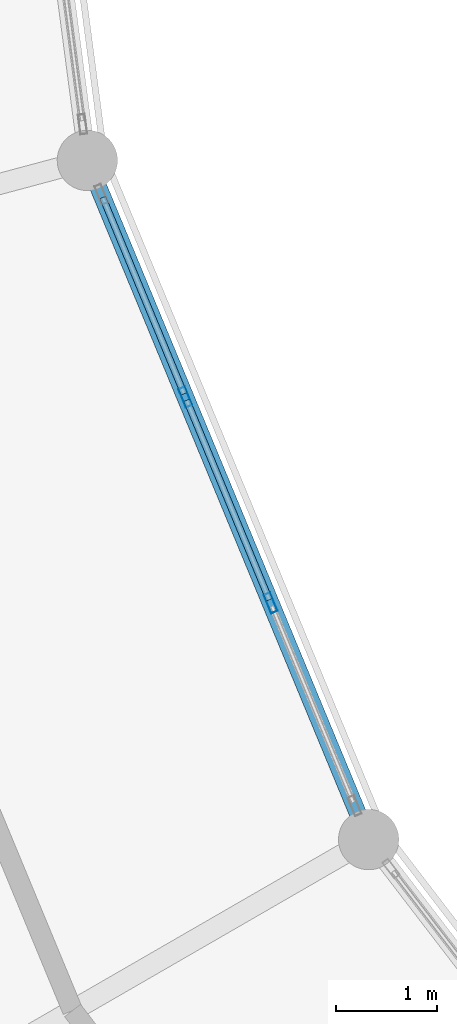
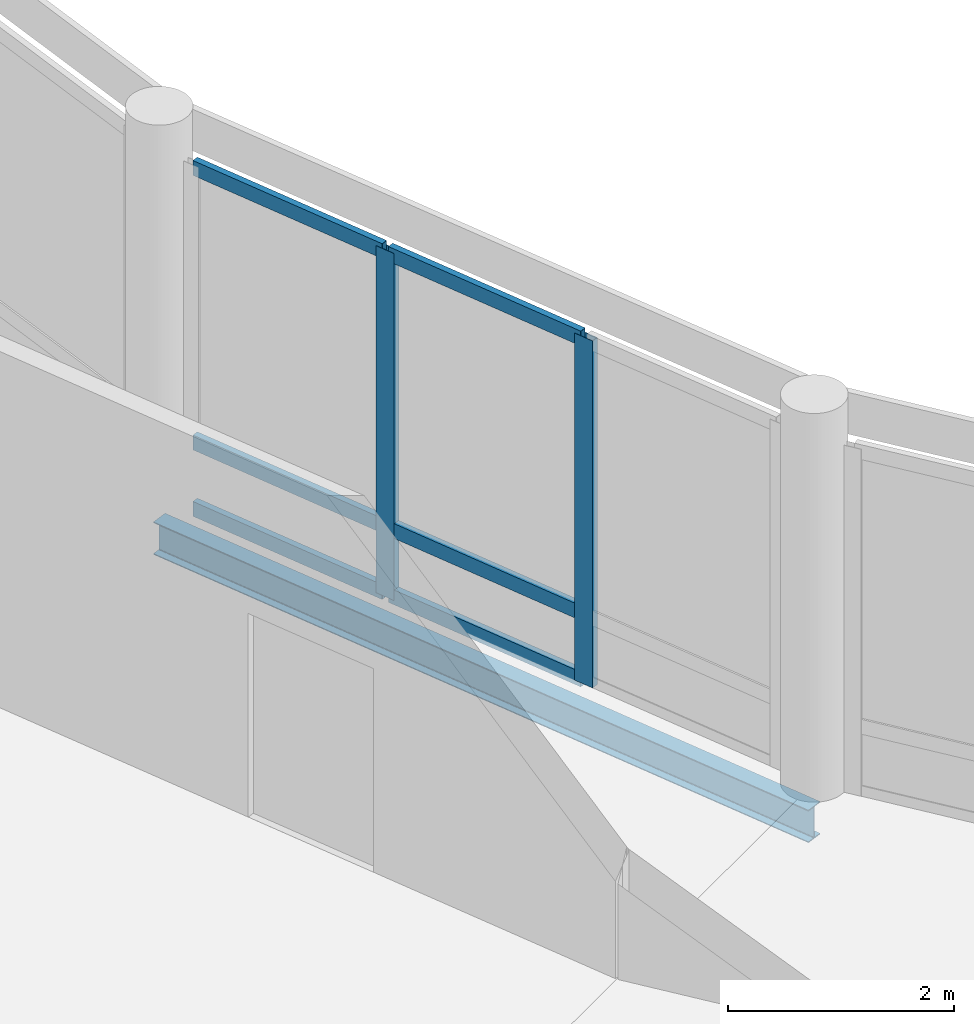
# One storey, part 40 of 200: 8 members, 1 beam, 1 element without a shape of its own.
"""IFC4 building model written with IfcOpenShell, lengths in metres."""

import ifcopenshell
import ifcopenshell.guid

model = None  # the IFC model being written
_history = None  # IfcOwnerHistory: only IFC2X3 demands one
_inside = {}  # id of a spatial element -> (the spatial element, [elements in it])
_under = {}  # id of a project, library or spatial element -> (it, [spatial elements below it])
_declared = {}  # id of a project -> (the project, [libraries it declares])
_typed = {}  # id of a type object -> (the type object, [elements of that type])
_made_of = {}  # id of a material, layer set ... -> (it, [elements and type objects made of it])


def new_model(schema):
    """Start an empty IFC model of exactly this schema.

    Asked for "IFC4X3", IfcOpenShell would pick the latest addendum, in which some entities
    have other attributes; the version numbers below select the first issue.
    IFC2X3 requires an IfcOwnerHistory on every rooted entity: one is made here for all.
    """
    global model, _history
    if schema == "IFC4X3":
        model = ifcopenshell.file(schema_version=(4, 3, 0, 0))
    else:
        model = ifcopenshell.file(schema=schema)
    _inside.clear()
    _under.clear()
    _declared.clear()
    _typed.clear()
    _made_of.clear()
    _history = None
    if model.schema == "IFC2X3":
        org = make("IfcOrganization", Name="unknown")
        user = make(
            "IfcPersonAndOrganization",
            ThePerson=make("IfcPerson", FamilyName="unknown"),
            TheOrganization=org,
        )
        app = make(
            "IfcApplication",
            ApplicationDeveloper=org,
            Version="unknown",
            ApplicationFullName="unknown",
            ApplicationIdentifier="unknown",
        )
        _history = make(
            "IfcOwnerHistory",
            OwningUser=user,
            OwningApplication=app,
            ChangeAction="ADDED",
            CreationDate=0,
        )
    return model


def make(cls, **values):
    """One entity of the class cls with the attributes given. An attribute that is None is left unset."""
    return model.create_entity(
        cls, **{name: value for name, value in values.items() if value is not None}
    )


def rooted(cls, **values):
    """An entity with a GlobalId (a new one), such as an element, a storey or a relation."""
    return make(cls, GlobalId=ifcopenshell.guid.new(), OwnerHistory=_history, **values)


def si_unit(unit_type, name, prefix=None):
    """IfcSIUnit, for example si_unit("LENGTHUNIT", "METRE", prefix="MILLI")."""
    return make("IfcSIUnit", UnitType=unit_type, Prefix=prefix, Name=name)


def assignment(units):
    """IfcUnitAssignment: the units of a project."""
    return None if units is None else make("IfcUnitAssignment", Units=units)


def point(xyz):
    """IfcCartesianPoint."""
    return None if xyz is None else make("IfcCartesianPoint", Coordinates=xyz)


def direction(xyz):
    """IfcDirection."""
    return None if xyz is None else make("IfcDirection", DirectionRatios=xyz)


def frame(location, z_axis=None, x_axis=None):
    """IfcAxis2Placement3D, a coordinate frame: its origin and axes. An axis left out is left unset."""
    return make(
        "IfcAxis2Placement3D",
        Location=point(location),
        Axis=direction(z_axis),
        RefDirection=direction(x_axis),
    )


def frame_2d(location, x_axis=None):
    """IfcAxis2Placement2D, a coordinate frame in the plane: its origin and x axis."""
    return make(
        "IfcAxis2Placement2D", Location=point(location), RefDirection=direction(x_axis)
    )


def origin():
    """The frame at (0, 0, 0) with its axes left unset."""
    return frame((0.0, 0.0, 0.0))


def origin_2d():
    """The frame at (0, 0) in the plane with its x axis left unset."""
    return frame_2d((0.0, 0.0))


def place(relative_to, where):
    """IfcLocalPlacement: puts the frame where relative to a parent placement (None: the world)."""
    return make(
        "IfcLocalPlacement", PlacementRelTo=relative_to, RelativePlacement=where
    )


def context(
    kind, dimensions, precision=None, world=None, true_north=None, identifier=None
):
    """IfcGeometricRepresentationContext, for example the 3D "Model" context."""
    return make(
        "IfcGeometricRepresentationContext",
        ContextIdentifier=identifier,
        ContextType=kind,
        CoordinateSpaceDimension=dimensions,
        Precision=precision,
        WorldCoordinateSystem=world,
        TrueNorth=true_north,
    )


def subcontext(parent, identifier, kind, view, scale=None):
    """IfcGeometricRepresentationSubContext, for example "Body" below "Model"."""
    return make(
        "IfcGeometricRepresentationSubContext",
        ContextIdentifier=identifier,
        ContextType=kind,
        ParentContext=parent,
        TargetScale=scale,
        TargetView=view,
    )


def project(units=None, contexts=None):
    """IfcProject with its units and contexts."""
    return rooted(
        "IfcProject",
        Name="project",
        RepresentationContexts=contexts,
        UnitsInContext=assignment(units),
    )


def spatial(cls, under=None, at=None, **own):
    """A site, building, storey or space (cls), placed at a placement, below another one or the project."""
    s = rooted(cls, ObjectPlacement=at, **own)
    if under is not None:
        _under.setdefault(under.id(), (under, []))[1].append(s)
    return s


def profile(cls, at=None, kind="AREA", **sizes):
    """A parametric profile (cls). Its sizes go by their IFC names, for example OverallWidth=200.0."""
    return make(cls, ProfileType=kind, Position=at, **sizes)


def hollow_rectangle(**sizes):
    """IfcRectangleHollowProfileDef."""
    return profile("IfcRectangleHollowProfileDef", **sizes)


def i_section(**sizes):
    """IfcIShapeProfileDef."""
    return profile("IfcIShapeProfileDef", **sizes)


def extrude(swept, where, along, depth):
    """IfcExtrudedAreaSolid: the profile swept, set in the frame where, extruded along a direction by depth."""
    return make(
        "IfcExtrudedAreaSolid",
        SweptArea=swept,
        Position=where,
        ExtrudedDirection=direction(along),
        Depth=depth,
    )


def shape(context_of_items, identifier, shape_type, items):
    """IfcShapeRepresentation: the items that make up one representation, for example the "Body"."""
    return make(
        "IfcShapeRepresentation",
        ContextOfItems=context_of_items,
        RepresentationIdentifier=identifier,
        RepresentationType=shape_type,
        Items=items,
    )


def material(Name=None, Category=None):
    """IfcMaterial."""
    return make("IfcMaterial", Name=Name, Category=Category)


def material_profile(
    of_material, cross_section, Name=None, Category=None, Priority=None
):
    """IfcMaterialProfile: a cross section and its material."""
    return make(
        "IfcMaterialProfile",
        Name=Name,
        Material=of_material,
        Profile=cross_section,
        Priority=Priority,
        Category=Category,
    )


def profile_set(profiles, Name=None, composite=None):
    """IfcMaterialProfileSet."""
    return make(
        "IfcMaterialProfileSet",
        Name=Name,
        MaterialProfiles=profiles,
        CompositeProfile=composite,
    )


def made_of(thing, what):
    """Note that an element or type object is made of a material, layer set ...; save() writes the relation."""
    if what is not None:
        _made_of.setdefault(what.id(), (what, []))[1].append(thing)
    return thing


def type_object(cls, material=None, **own):
    """A type object (cls), such as IfcWallType, which elements share."""
    return made_of(rooted(cls, **own), material)


def element(
    cls,
    number,
    at=None,
    inside=None,
    cuts=None,
    type_object=None,
    material=None,
    context=None,
    identifier="Body",
    shape_type=None,
    held_by="IfcProductDefinitionShape",
    body=None,
    shapes=None,
    **own,
):
    """One element of the class cls, such as IfcWall. Its Tag is "e" and its number.

    at: its placement. inside: the storey or other place that contains it. cuts: it is an
    opening in that element (IfcRelVoidsElement). A single representation is given by context,
    identifier, shape_type and body (its items); several are given by shapes. held_by: the class
    of the entity that holds the representations. save() writes the other relations.
    """
    e = rooted(cls, Tag="e%d" % number, ObjectPlacement=at, **own)
    if body is not None:
        shapes = [shape(context, identifier, shape_type, body)]
    if shapes is not None:
        e.Representation = make(held_by, Representations=shapes)
    if inside is not None:
        _inside.setdefault(inside.id(), (inside, []))[1].append(e)
    if cuts is not None:
        rooted(
            "IfcRelVoidsElement", RelatingBuildingElement=cuts, RelatedOpeningElement=e
        )
    if type_object is not None:
        _typed.setdefault(type_object.id(), (type_object, []))[1].append(e)
    return made_of(e, material)


def aggregate(whole, parts):
    """IfcRelAggregates: a whole, such as a stair, and the parts it consists of."""
    return rooted("IfcRelAggregates", RelatingObject=whole, RelatedObjects=parts)


def save(model, path):
    """Write the relations noted so far, then the file.

    IfcRelAggregates (storeys below a building ...), IfcRelContainedInSpatialStructure (elements
    in a storey), IfcRelDefinesByType, IfcRelAssociatesMaterial and IfcRelDeclares: one each for
    every whole, place, type object, material and project.
    """
    for whole, parts in _under.values():
        aggregate(whole, parts)
    for where, things in _inside.values():
        rooted(
            "IfcRelContainedInSpatialStructure",
            RelatedElements=things,
            RelatingStructure=where,
        )
    for kind, things in _typed.values():
        rooted("IfcRelDefinesByType", RelatedObjects=things, RelatingType=kind)
    for what, things in _made_of.values():
        rooted("IfcRelAssociatesMaterial", RelatedObjects=things, RelatingMaterial=what)
    for by, libraries in _declared.values():
        rooted("IfcRelDeclares", RelatingContext=by, RelatedDefinitions=libraries)
    model.write(path)


model = new_model("IFC4")

# Units and contexts
model_context = context("Model", 3, precision=1e-05, world=origin(), true_north=direction((0.0, 1.0)))
body_context = subcontext(model_context, "Body", "Model", "MODEL_VIEW")
ifc_project = project(units=[si_unit("LENGTHUNIT", "METRE"), si_unit("AREAUNIT", "SQUARE_METRE"), si_unit("VOLUMEUNIT", "CUBIC_METRE"), si_unit("PLANEANGLEUNIT", "RADIAN"), si_unit("MASSUNIT", "GRAM", prefix="KILO")], contexts=[model_context])

# Site, building, storey
site_placement = place(None, origin())
site = spatial("IfcSite", under=ifc_project, at=site_placement, CompositionType="ELEMENT")
building_placement = place(site_placement, origin())
building = spatial("IfcBuilding", under=site, at=building_placement, Name="Vondelvale Polytechnic", CompositionType="ELEMENT")
storey_placement = place(building_placement, frame((0.0, 0.0, 13.800048828125)))
storey = spatial("IfcBuildingStorey", under=building, at=storey_placement, Name="L03", CompositionType="ELEMENT", Elevation=13.800048828125)

# Beam
ifc_material_1 = material(Name="Steel 300PLUS (fy = 300 MPa)", Category="steel")
ifc_material_profile_1 = material_profile(ifc_material_1, i_section(OverallWidth=0.1708984375, OverallDepth=0.35205078125, WebThickness=0.0068359375, FlangeThickness=0.009765625, FilletRadius=0.011474609375, at=origin_2d()), Name="360UB44.7")
ifc_profile_set_1 = profile_set([ifc_material_profile_1], Name="Steel 300PLUS (fy = 300 MPa)")
beam_type = type_object("IfcBeamType", Name="BM-UB360L", PredefinedType="BEAM", material=ifc_profile_set_1)
beam_placement = place(storey_placement, frame((74.9541015625, 64.753173828125, -0.426025390625), z_axis=(0.382667428841, -0.923886161226, 0.0), x_axis=(0.923886161226, 0.382667428841, 0.0)))
element("IfcBeam", 1, at=beam_placement, inside=storey, type_object=beam_type, Name="L03 RB B-24", PredefinedType="BEAM", context=body_context, shape_type="SweptSolid", body=[
    extrude(i_section(OverallWidth=0.1708984375, OverallDepth=0.35205078125, WebThickness=0.0068359375, FlangeThickness=0.009765625, FilletRadius=0.011474609375, at=origin_2d()), origin(), (0.0, 0.0, 1.0), 7.3095703125),
])

# Curtain wall, members
ifc_material_2 = material(Name="Anodised extruded aluminium 6063-T6", Category="aluminium")
curtain_wall_type = type_object("IfcCurtainWallType", Name="CW-RING-CLOISTER", PredefinedType="NOTDEFINED", material=ifc_material_2)
curtain_wall_placement = place(storey_placement, origin())
curtain_wall = element("IfcCurtainWall", 2, at=curtain_wall_placement, inside=storey, type_object=curtain_wall_type, Name="L03 architectural curtain wall CW-03-287", PredefinedType="NOTDEFINED")
ifc_material_profile_2 = material_profile(ifc_material_2, hollow_rectangle(XDim=0.070068359375, YDim=0.199951171875, WallThickness=0.00390625, at=origin_2d()), Name="CW-MUL-200x70")
ifc_profile_set_2 = profile_set([ifc_material_profile_2], Name="Anodised extruded aluminium 6063-T6")
member_type_1 = type_object("IfcMemberType", Name="CW-MUL-70x200", PredefinedType="MULLION", material=ifc_profile_set_2)
member_1_placement = place(storey_placement, frame((75.9287109375, 62.400390625, 0.0), z_axis=(0.0, 0.0, 1.0), x_axis=(0.923881562419, 0.382678531697, 0.0)))
member_1 = element("IfcMember", 3, at=member_1_placement, type_object=member_type_1, Name="CW-03-287 mullion 2", PredefinedType="MULLION", context=body_context, shape_type="SweptSolid", body=[
    extrude(hollow_rectangle(XDim=0.070068359375, YDim=0.199951171875, WallThickness=0.00390625, at=origin_2d()), origin(), (0.0, 0.0, 1.0), 3.75),
])
member_2_placement = place(storey_placement, frame((76.77685546875, 60.352783203125, 0.0), z_axis=(0.0, 0.0, 1.0), x_axis=(0.923881562419, 0.382678531697, 0.0)))
member_2 = element("IfcMember", 4, at=member_2_placement, type_object=member_type_1, Name="CW-03-287 mullion 3", PredefinedType="MULLION", context=body_context, shape_type="SweptSolid", body=[
    extrude(hollow_rectangle(XDim=0.070068359375, YDim=0.199951171875, WallThickness=0.00390625, at=origin_2d()), origin(), (0.0, 0.0, 1.0), 3.75),
])
ifc_material_profile_3 = material_profile(ifc_material_2, hollow_rectangle(XDim=0.06494140625, YDim=0.159912109375, WallThickness=0.00341796875, at=origin_2d()), Name="CW-TRN-160x65")
ifc_profile_set_3 = profile_set([ifc_material_profile_3], Name="Anodised extruded aluminium 6063-T6")
member_type_2 = type_object("IfcMemberType", Name="CW-TRN-70x160", PredefinedType="USERDEFINED", material=ifc_profile_set_3)
member_3_placement = place(storey_placement, frame((75.107177734375, 64.383544921875, 0.032470703125), z_axis=(0.382726229306, -0.923861804277, 0.0), x_axis=(0.923861804277, 0.382726229306, 0.0)))
member_3 = element("IfcMember", 5, at=member_3_placement, type_object=member_type_2, Name="CW-03-287 transom 1.1", ObjectType="TRANSOM", PredefinedType="USERDEFINED", context=body_context, shape_type="SweptSolid", body=[
    extrude(hollow_rectangle(XDim=0.06494140625, YDim=0.159912109375, WallThickness=0.00341796875, at=origin_2d()), origin(), (0.0, 0.0, 1.0), 2.111328125),
])
member_4_placement = place(storey_placement, frame((75.107177734375, 64.383544921875, 0.75), z_axis=(0.382726229306, -0.923861804277, 0.0), x_axis=(0.923861804277, 0.382726229306, 0.0)))
member_4 = element("IfcMember", 6, at=member_4_placement, type_object=member_type_2, Name="CW-03-287 transom 1.2", ObjectType="TRANSOM", PredefinedType="USERDEFINED", context=body_context, shape_type="SweptSolid", body=[
    extrude(hollow_rectangle(XDim=0.06494140625, YDim=0.159912109375, WallThickness=0.00341796875, at=origin_2d()), origin(), (0.0, 0.0, 1.0), 2.111328125),
])
member_5_placement = place(storey_placement, frame((75.107177734375, 64.383544921875, 3.717529296875), z_axis=(0.382726229306, -0.923861804277, 0.0), x_axis=(0.923861804277, 0.382726229306, 0.0)))
member_5 = element("IfcMember", 7, at=member_5_placement, type_object=member_type_2, Name="CW-03-287 transom 1.3", ObjectType="TRANSOM", PredefinedType="USERDEFINED", context=body_context, shape_type="SweptSolid", body=[
    extrude(hollow_rectangle(XDim=0.06494140625, YDim=0.159912109375, WallThickness=0.00341796875, at=origin_2d()), origin(), (0.0, 0.0, 1.0), 2.111328125),
])
member_6_placement = place(storey_placement, frame((75.94189453125, 62.3681640625, 0.032470703125), z_axis=(0.382716752649, -0.923865730094, 0.0), x_axis=(0.923865730094, 0.382716752649, 0.0)))
member_6 = element("IfcMember", 8, at=member_6_placement, type_object=member_type_2, Name="CW-03-287 transom 2.1", ObjectType="TRANSOM", PredefinedType="USERDEFINED", context=body_context, shape_type="SweptSolid", body=[
    extrude(hollow_rectangle(XDim=0.06494140625, YDim=0.159912109375, WallThickness=0.00341796875, at=origin_2d()), origin(), (0.0, 0.0, 1.0), 2.146484375),
])
member_7_placement = place(storey_placement, frame((75.94189453125, 62.3681640625, 0.75), z_axis=(0.382716752649, -0.923865730094, 0.0), x_axis=(0.923865730094, 0.382716752649, 0.0)))
member_7 = element("IfcMember", 9, at=member_7_placement, type_object=member_type_2, Name="CW-03-287 transom 2.2", ObjectType="TRANSOM", PredefinedType="USERDEFINED", context=body_context, shape_type="SweptSolid", body=[
    extrude(hollow_rectangle(XDim=0.06494140625, YDim=0.159912109375, WallThickness=0.00341796875, at=origin_2d()), origin(), (0.0, 0.0, 1.0), 2.146484375),
])
member_8_placement = place(storey_placement, frame((75.94189453125, 62.3681640625, 3.717529296875), z_axis=(0.382716752649, -0.923865730094, 0.0), x_axis=(0.923865730094, 0.382716752649, 0.0)))
member_8 = element("IfcMember", 10, at=member_8_placement, type_object=member_type_2, Name="CW-03-287 transom 2.3", ObjectType="TRANSOM", PredefinedType="USERDEFINED", context=body_context, shape_type="SweptSolid", body=[
    extrude(hollow_rectangle(XDim=0.06494140625, YDim=0.159912109375, WallThickness=0.00341796875, at=origin_2d()), origin(), (0.0, 0.0, 1.0), 2.146484375),
])
aggregate(curtain_wall, [member_1, member_2, member_3, member_4, member_5, member_6, member_7, member_8])

save(model, "model.ifc")
